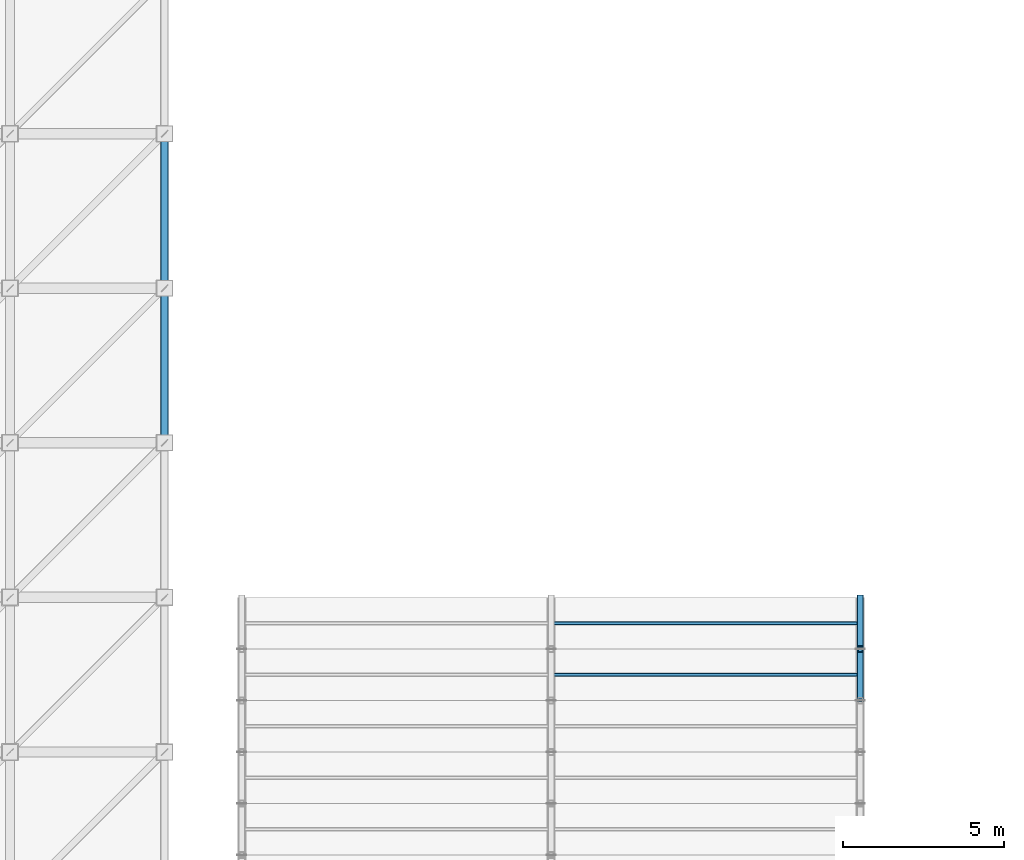
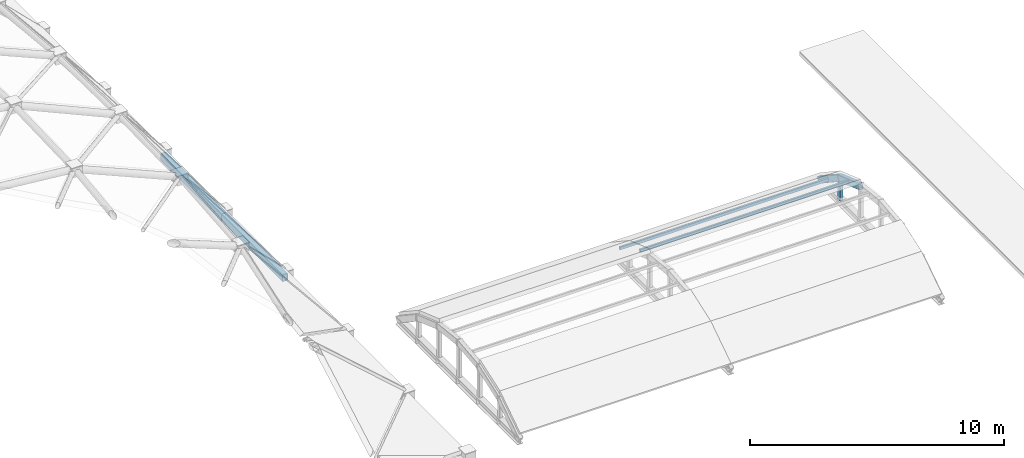
# One storey, part 5 of 70: 5 members, 2 beams.
"""IFC4 building model written with IfcOpenShell, lengths in metres."""

import ifcopenshell
import ifcopenshell.guid

model = None  # the IFC model being written
_history = None  # IfcOwnerHistory: only IFC2X3 demands one
_inside = {}  # id of a spatial element -> (the spatial element, [elements in it])
_under = {}  # id of a project, library or spatial element -> (it, [spatial elements below it])
_declared = {}  # id of a project -> (the project, [libraries it declares])
_typed = {}  # id of a type object -> (the type object, [elements of that type])
_made_of = {}  # id of a material, layer set ... -> (it, [elements and type objects made of it])


def new_model(schema):
    """Start an empty IFC model of exactly this schema.

    Asked for "IFC4X3", IfcOpenShell would pick the latest addendum, in which some entities
    have other attributes; the version numbers below select the first issue.
    IFC2X3 requires an IfcOwnerHistory on every rooted entity: one is made here for all.
    """
    global model, _history
    if schema == "IFC4X3":
        model = ifcopenshell.file(schema_version=(4, 3, 0, 0))
    else:
        model = ifcopenshell.file(schema=schema)
    _inside.clear()
    _under.clear()
    _declared.clear()
    _typed.clear()
    _made_of.clear()
    _history = None
    if model.schema == "IFC2X3":
        org = make("IfcOrganization", Name="unknown")
        user = make(
            "IfcPersonAndOrganization",
            ThePerson=make("IfcPerson", FamilyName="unknown"),
            TheOrganization=org,
        )
        app = make(
            "IfcApplication",
            ApplicationDeveloper=org,
            Version="unknown",
            ApplicationFullName="unknown",
            ApplicationIdentifier="unknown",
        )
        _history = make(
            "IfcOwnerHistory",
            OwningUser=user,
            OwningApplication=app,
            ChangeAction="ADDED",
            CreationDate=0,
        )
    return model


def make(cls, **values):
    """One entity of the class cls with the attributes given. An attribute that is None is left unset."""
    return model.create_entity(
        cls, **{name: value for name, value in values.items() if value is not None}
    )


def rooted(cls, **values):
    """An entity with a GlobalId (a new one), such as an element, a storey or a relation."""
    return make(cls, GlobalId=ifcopenshell.guid.new(), OwnerHistory=_history, **values)


def si_unit(unit_type, name, prefix=None):
    """IfcSIUnit, for example si_unit("LENGTHUNIT", "METRE", prefix="MILLI")."""
    return make("IfcSIUnit", UnitType=unit_type, Prefix=prefix, Name=name)


def assignment(units):
    """IfcUnitAssignment: the units of a project."""
    return None if units is None else make("IfcUnitAssignment", Units=units)


def point(xyz):
    """IfcCartesianPoint."""
    return None if xyz is None else make("IfcCartesianPoint", Coordinates=xyz)


def direction(xyz):
    """IfcDirection."""
    return None if xyz is None else make("IfcDirection", DirectionRatios=xyz)


def frame(location, z_axis=None, x_axis=None):
    """IfcAxis2Placement3D, a coordinate frame: its origin and axes. An axis left out is left unset."""
    return make(
        "IfcAxis2Placement3D",
        Location=point(location),
        Axis=direction(z_axis),
        RefDirection=direction(x_axis),
    )


def frame_2d(location, x_axis=None):
    """IfcAxis2Placement2D, a coordinate frame in the plane: its origin and x axis."""
    return make(
        "IfcAxis2Placement2D", Location=point(location), RefDirection=direction(x_axis)
    )


def origin():
    """The frame at (0, 0, 0) with its axes left unset."""
    return frame((0.0, 0.0, 0.0))


def origin_2d():
    """The frame at (0, 0) in the plane with its x axis left unset."""
    return frame_2d((0.0, 0.0))


def place(relative_to, where):
    """IfcLocalPlacement: puts the frame where relative to a parent placement (None: the world)."""
    return make(
        "IfcLocalPlacement", PlacementRelTo=relative_to, RelativePlacement=where
    )


def context(
    kind, dimensions, precision=None, world=None, true_north=None, identifier=None
):
    """IfcGeometricRepresentationContext, for example the 3D "Model" context."""
    return make(
        "IfcGeometricRepresentationContext",
        ContextIdentifier=identifier,
        ContextType=kind,
        CoordinateSpaceDimension=dimensions,
        Precision=precision,
        WorldCoordinateSystem=world,
        TrueNorth=true_north,
    )


def subcontext(parent, identifier, kind, view, scale=None):
    """IfcGeometricRepresentationSubContext, for example "Body" below "Model"."""
    return make(
        "IfcGeometricRepresentationSubContext",
        ContextIdentifier=identifier,
        ContextType=kind,
        ParentContext=parent,
        TargetScale=scale,
        TargetView=view,
    )


def project(units=None, contexts=None):
    """IfcProject with its units and contexts."""
    return rooted(
        "IfcProject",
        Name="project",
        RepresentationContexts=contexts,
        UnitsInContext=assignment(units),
    )


def spatial(cls, under=None, at=None, **own):
    """A site, building, storey or space (cls), placed at a placement, below another one or the project."""
    s = rooted(cls, ObjectPlacement=at, **own)
    if under is not None:
        _under.setdefault(under.id(), (under, []))[1].append(s)
    return s


def profile(cls, at=None, kind="AREA", **sizes):
    """A parametric profile (cls). Its sizes go by their IFC names, for example OverallWidth=200.0."""
    return make(cls, ProfileType=kind, Position=at, **sizes)


def hollow_rectangle(**sizes):
    """IfcRectangleHollowProfileDef."""
    return profile("IfcRectangleHollowProfileDef", **sizes)


def extrude(swept, where, along, depth):
    """IfcExtrudedAreaSolid: the profile swept, set in the frame where, extruded along a direction by depth."""
    return make(
        "IfcExtrudedAreaSolid",
        SweptArea=swept,
        Position=where,
        ExtrudedDirection=direction(along),
        Depth=depth,
    )


def shape(context_of_items, identifier, shape_type, items):
    """IfcShapeRepresentation: the items that make up one representation, for example the "Body"."""
    return make(
        "IfcShapeRepresentation",
        ContextOfItems=context_of_items,
        RepresentationIdentifier=identifier,
        RepresentationType=shape_type,
        Items=items,
    )


def material(Name=None, Category=None):
    """IfcMaterial."""
    return make("IfcMaterial", Name=Name, Category=Category)


def material_profile(
    of_material, cross_section, Name=None, Category=None, Priority=None
):
    """IfcMaterialProfile: a cross section and its material."""
    return make(
        "IfcMaterialProfile",
        Name=Name,
        Material=of_material,
        Profile=cross_section,
        Priority=Priority,
        Category=Category,
    )


def profile_set(profiles, Name=None, composite=None):
    """IfcMaterialProfileSet."""
    return make(
        "IfcMaterialProfileSet",
        Name=Name,
        MaterialProfiles=profiles,
        CompositeProfile=composite,
    )


def made_of(thing, what):
    """Note that an element or type object is made of a material, layer set ...; save() writes the relation."""
    if what is not None:
        _made_of.setdefault(what.id(), (what, []))[1].append(thing)
    return thing


def type_object(cls, material=None, **own):
    """A type object (cls), such as IfcWallType, which elements share."""
    return made_of(rooted(cls, **own), material)


def element(
    cls,
    number,
    at=None,
    inside=None,
    cuts=None,
    type_object=None,
    material=None,
    context=None,
    identifier="Body",
    shape_type=None,
    held_by="IfcProductDefinitionShape",
    body=None,
    shapes=None,
    **own,
):
    """One element of the class cls, such as IfcWall. Its Tag is "e" and its number.

    at: its placement. inside: the storey or other place that contains it. cuts: it is an
    opening in that element (IfcRelVoidsElement). A single representation is given by context,
    identifier, shape_type and body (its items); several are given by shapes. held_by: the class
    of the entity that holds the representations. save() writes the other relations.
    """
    e = rooted(cls, Tag="e%d" % number, ObjectPlacement=at, **own)
    if body is not None:
        shapes = [shape(context, identifier, shape_type, body)]
    if shapes is not None:
        e.Representation = make(held_by, Representations=shapes)
    if inside is not None:
        _inside.setdefault(inside.id(), (inside, []))[1].append(e)
    if cuts is not None:
        rooted(
            "IfcRelVoidsElement", RelatingBuildingElement=cuts, RelatedOpeningElement=e
        )
    if type_object is not None:
        _typed.setdefault(type_object.id(), (type_object, []))[1].append(e)
    return made_of(e, material)


def aggregate(whole, parts):
    """IfcRelAggregates: a whole, such as a stair, and the parts it consists of."""
    return rooted("IfcRelAggregates", RelatingObject=whole, RelatedObjects=parts)


def save(model, path):
    """Write the relations noted so far, then the file.

    IfcRelAggregates (storeys below a building ...), IfcRelContainedInSpatialStructure (elements
    in a storey), IfcRelDefinesByType, IfcRelAssociatesMaterial and IfcRelDeclares: one each for
    every whole, place, type object, material and project.
    """
    for whole, parts in _under.values():
        aggregate(whole, parts)
    for where, things in _inside.values():
        rooted(
            "IfcRelContainedInSpatialStructure",
            RelatedElements=things,
            RelatingStructure=where,
        )
    for kind, things in _typed.values():
        rooted("IfcRelDefinesByType", RelatedObjects=things, RelatingType=kind)
    for what, things in _made_of.values():
        rooted("IfcRelAssociatesMaterial", RelatedObjects=things, RelatingMaterial=what)
    for by, libraries in _declared.values():
        rooted("IfcRelDeclares", RelatingContext=by, RelatedDefinitions=libraries)
    model.write(path)


model = new_model("IFC4")

# Units and contexts
model_context = context("Model", 3, precision=1e-05, world=origin(), true_north=direction((0.0, 1.0)))
body_context = subcontext(model_context, "Body", "Model", "MODEL_VIEW")
ifc_project = project(units=[si_unit("LENGTHUNIT", "METRE"), si_unit("AREAUNIT", "SQUARE_METRE"), si_unit("VOLUMEUNIT", "CUBIC_METRE"), si_unit("PLANEANGLEUNIT", "RADIAN"), si_unit("MASSUNIT", "GRAM", prefix="KILO")], contexts=[model_context])

# Site, building, storey
site_placement = place(None, origin())
site = spatial("IfcSite", under=ifc_project, at=site_placement, CompositionType="ELEMENT")
building_placement = place(site_placement, origin())
building = spatial("IfcBuilding", under=site, at=building_placement, Name="Mavantir Sound Aquarium", CompositionType="ELEMENT")
storey_placement = place(building_placement, frame((0.0, 0.0, 27.0)))
storey = spatial("IfcBuildingStorey", under=building, at=storey_placement, Name="RF", CompositionType="ELEMENT", Elevation=27.0)

# Beams
ifc_material = material(Name="Hollow Structural Steel ASTM A500 GrC", Category="steel")
ifc_material_profile_1 = material_profile(ifc_material, hollow_rectangle(XDim=0.25, YDim=0.35009765625, WallThickness=0.012451171875, InnerFilletRadius=0.012451171875, OuterFilletRadius=0.02490234375, at=origin_2d()), Name="RHS 350X250X12.5")
ifc_profile_set_1 = profile_set([ifc_material_profile_1], Name="Hollow Structural Steel ASTM A500 GrC")
beam_type = type_object("IfcBeamType", Name="BM-RB-RHS350-E", PredefinedType="BEAM", material=ifc_profile_set_1)
for number, where, z_axis, x_axis, name in (
    (1, (33.60009765625, 55.199951171875, -7.419921875), (0.0, 0.999991302772, 0.004170656977), (-1.0, 0.0, 0.0), "Gridshell perimeter ring beam RB-02 22"),
    (2, (33.60009765625, 60.0, -7.419921875), (0.0, 0.999991302772, 0.004170656977), (-1.0, 0.0, 0.0), "Gridshell perimeter ring beam RB-02 24"),
):
    element("IfcBeam", number, at=place(storey_placement, frame(where, z_axis=z_axis, x_axis=x_axis)), inside=storey, type_object=beam_type, Name=name, PredefinedType="BEAM", context=body_context, shape_type="SweptSolid", body=[
        extrude(hollow_rectangle(XDim=0.25, YDim=0.35009765625, WallThickness=0.012451171875, InnerFilletRadius=0.012451171875, OuterFilletRadius=0.02490234375, at=origin_2d()), origin(), (0.0, 0.0, 1.0), 4.800048828125),
    ])

# Members
ifc_material_profile_2 = material_profile(ifc_material, hollow_rectangle(XDim=0.199951171875, YDim=0.300048828125, WallThickness=0.012451171875, InnerFilletRadius=0.012451171875, OuterFilletRadius=0.02490234375, at=origin_2d()), Name="RHS 300X200X12.5")
ifc_profile_set_2 = profile_set([ifc_material_profile_2], Name="Hollow Structural Steel ASTM A500 GrC")
member_type_1 = type_object("IfcMemberType", Name="MEM-AR-RHS300", PredefinedType="CHORD", material=ifc_profile_set_2)
member_1_placement = place(storey_placement, frame((55.199951171875, 47.199951171875, -5.7275390625), z_axis=(0.0, 0.943629176442, -0.331004497504), x_axis=(-1.0, 0.0, 0.0)))
element("IfcMember", 3, at=member_1_placement, inside=storey, type_object=member_type_1, Name="V2 barrel vault arch rib 33", PredefinedType="CHORD", context=body_context, shape_type="SweptSolid", body=[
    extrude(hollow_rectangle(XDim=0.199951171875, YDim=0.300048828125, WallThickness=0.012451171875, InnerFilletRadius=0.012451171875, OuterFilletRadius=0.02490234375, at=origin_2d()), origin(), (0.0, 0.0, 1.0), 1.69580078125),
])
member_2_placement = place(storey_placement, frame((55.199951171875, 48.800048828125, -6.288818359375), z_axis=(0.0, 0.833319769335, -0.552791246345), x_axis=(-1.0, 0.0, 0.0)))
element("IfcMember", 4, at=member_2_placement, inside=storey, type_object=member_type_1, Name="V2 barrel vault arch rib 35", PredefinedType="CHORD", context=body_context, shape_type="SweptSolid", body=[
    extrude(hollow_rectangle(XDim=0.199951171875, YDim=0.300048828125, WallThickness=0.012451171875, InnerFilletRadius=0.012451171875, OuterFilletRadius=0.02490234375, at=origin_2d()), origin(), (0.0, 0.0, 1.0), 1.919921875),
])
ifc_material_profile_3 = material_profile(ifc_material, hollow_rectangle(XDim=0.10009765625, YDim=0.14990234375, WallThickness=0.008056640625, InnerFilletRadius=0.008056640625, OuterFilletRadius=0.01611328125, at=origin_2d()), Name="RHS 150X100X8")
ifc_profile_set_3 = profile_set([ifc_material_profile_3], Name="Hollow Structural Steel ASTM A500 GrC")
member_type_2 = type_object("IfcMemberType", Name="MEM-BR-RHS150", PredefinedType="PURLIN", material=ifc_profile_set_3)
for number, where, z_axis, x_axis, name in (
    (5, (45.60009765625, 48.0, -5.96630859375), (1.0, 0.0, 0.0), (0.0, 1.0, 0.0), "V2 barrel vault purlin 47"),
    (6, (45.60009765625, 49.60009765625, -6.818603515625), (1.0, 0.0, 0.0), (0.0, 1.0, 0.0), "V2 barrel vault purlin 48"),
):
    element("IfcMember", number, at=place(storey_placement, frame(where, z_axis=z_axis, x_axis=x_axis)), inside=storey, type_object=member_type_2, Name=name, PredefinedType="PURLIN", context=body_context, shape_type="SweptSolid", body=[
        extrude(hollow_rectangle(XDim=0.10009765625, YDim=0.14990234375, WallThickness=0.008056640625, InnerFilletRadius=0.008056640625, OuterFilletRadius=0.01611328125, at=origin_2d()), origin(), (0.0, 0.0, 1.0), 9.599853515625),
    ])
ifc_material_profile_4 = material_profile(ifc_material, hollow_rectangle(XDim=0.14990234375, YDim=0.199951171875, WallThickness=0.010009765625, InnerFilletRadius=0.010009765625, OuterFilletRadius=0.02001953125, at=origin_2d()), Name="RHS 200X150X10")
ifc_profile_set_4 = profile_set([ifc_material_profile_4], Name="Hollow Structural Steel ASTM A500 GrC")
member_type_3 = type_object("IfcMemberType", Name="MEM-BR-RHS200", PredefinedType="BRACE", material=ifc_profile_set_4)
member_3_placement = place(storey_placement, frame((55.199951171875, 48.800048828125, -7.3798828125), z_axis=(0.0, 0.0, 1.0), x_axis=(1.0, 0.0, 0.0)))
element("IfcMember", 7, at=member_3_placement, inside=storey, type_object=member_type_3, Name="Steel truss web brace 36", PredefinedType="BRACE", context=body_context, shape_type="SweptSolid", body=[
    extrude(hollow_rectangle(XDim=0.14990234375, YDim=0.199951171875, WallThickness=0.010009765625, InnerFilletRadius=0.010009765625, OuterFilletRadius=0.02001953125, at=origin_2d()), origin(), (0.0, 0.0, 1.0), 1.091064453125),
])

save(model, "model.ifc")
